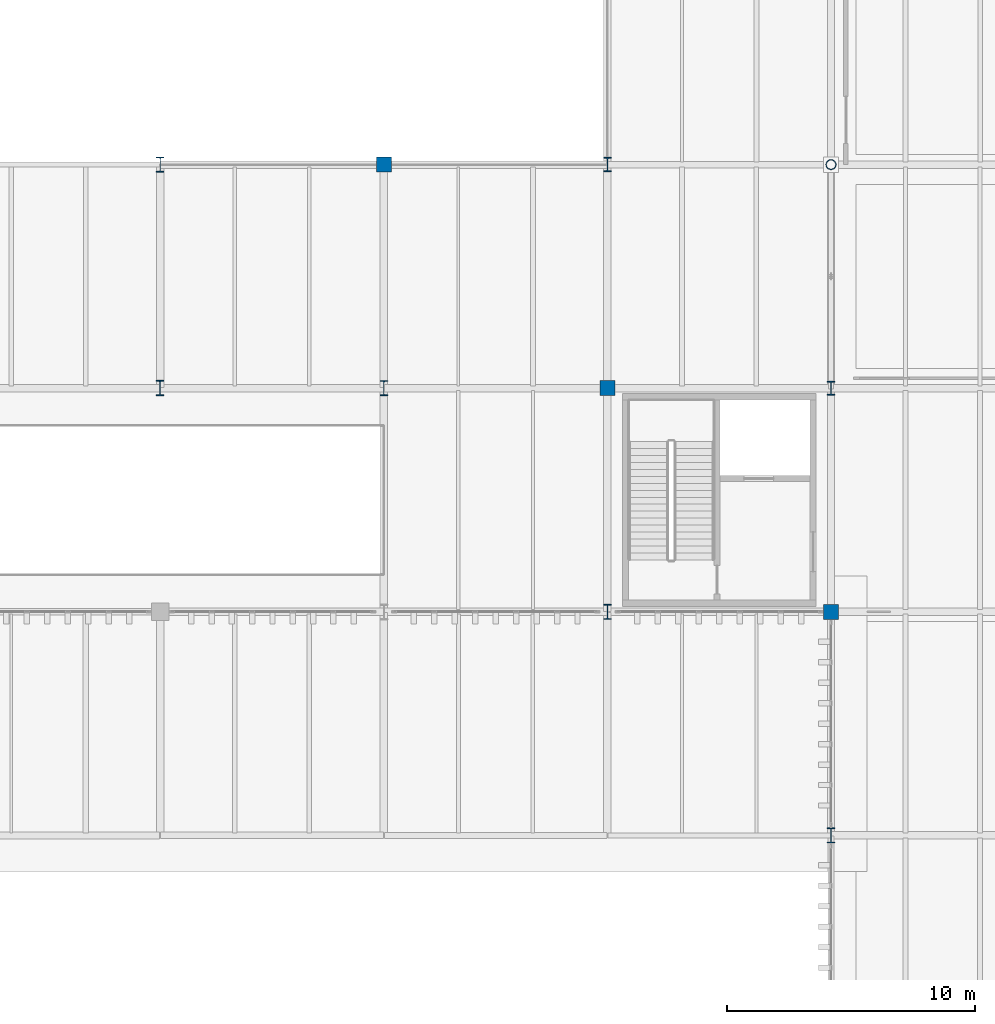
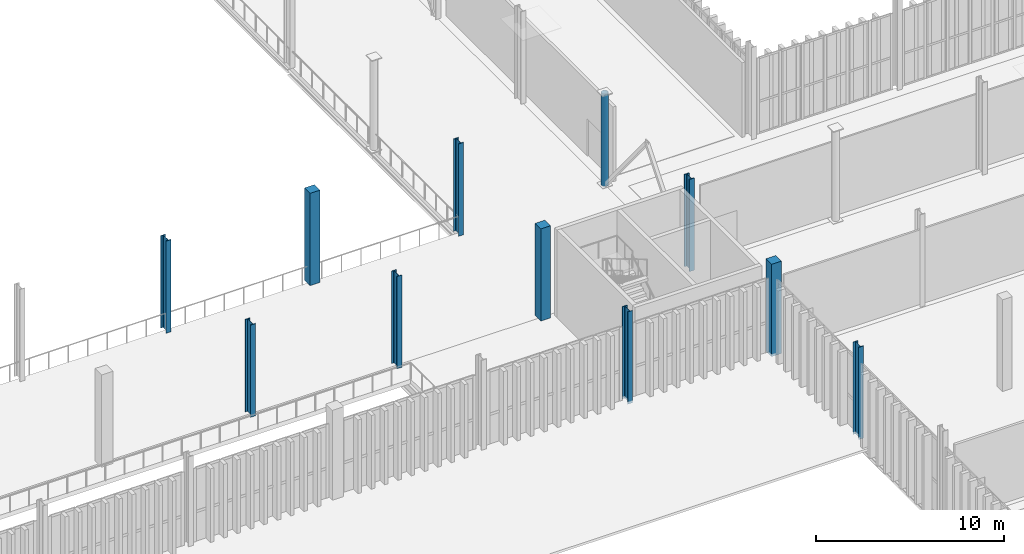
# One storey, part 7 of 211: 11 columns.
"""IFC4 building model written with IfcOpenShell, lengths in metres."""

from ifc_helpers import new_model, si_unit, direction, frame, origin, origin_2d, place, context, subcontext, project, spatial, rectangle, hollow_circle, i_section, extrude, material, material_profile, profile_set, type_object, element, save


model = new_model("IFC4")

# Units and contexts
model_context = context("Model", 3, precision=1e-05, world=origin(), true_north=direction((0.0, 1.0)))
body_context = subcontext(model_context, "Body", "Model", "MODEL_VIEW")
ifc_project = project(units=[si_unit("LENGTHUNIT", "METRE"), si_unit("AREAUNIT", "SQUARE_METRE"), si_unit("VOLUMEUNIT", "CUBIC_METRE"), si_unit("PLANEANGLEUNIT", "RADIAN"), si_unit("MASSUNIT", "GRAM", prefix="KILO")], contexts=[model_context])

# Site, building, storey
site_placement = place(None, origin())
site = spatial("IfcSite", under=ifc_project, at=site_placement, CompositionType="ELEMENT")
building_placement = place(site_placement, origin())
building = spatial("IfcBuilding", under=site, at=building_placement, Name="Barlavento Convention Centre", CompositionType="ELEMENT")
storey_placement = place(building_placement, frame((0.0, 0.0, 6.0)))
storey = spatial("IfcBuildingStorey", under=building, at=storey_placement, Name="L01", CompositionType="ELEMENT", Elevation=6.0)

# Columns
ifc_material_1 = material(Name="Steel S355", Category="steel")
ifc_material_profile_1 = material_profile(ifc_material_1, hollow_circle(Radius=0.203125, WallThickness=0.01611328125, at=origin_2d()), Name="CHS 406.4x16.0")
ifc_profile_set_1 = profile_set([ifc_material_profile_1], Name="Steel S355")
column_type_1 = type_object("IfcColumnType", Name="STR-COL-CHS406", PredefinedType="COLUMN", material=ifc_profile_set_1)
column_1_placement = place(storey_placement, frame((126.0, 63.0, 0.0), z_axis=(0.0, 0.0, 1.0), x_axis=(1.0, 0.0, 0.0)))
element("IfcColumn", 1, at=column_1_placement, inside=storey, type_object=column_type_1, Name="L01 column SC14", PredefinedType="COLUMN", context=body_context, shape_type="SweptSolid", body=[
    extrude(hollow_circle(Radius=0.203125, WallThickness=0.01611328125, at=origin_2d()), origin(), (0.0, 0.0, 1.0), 6.0),
])
ifc_material_profile_2 = material_profile(ifc_material_1, i_section(OverallWidth=0.300048828125, OverallDepth=0.60009765625, WebThickness=0.015380859375, FlangeThickness=0.030029296875, FilletRadius=0.027099609375, at=origin_2d()), Name="HEB 600")
ifc_profile_set_2 = profile_set([ifc_material_profile_2], Name="Steel S355")
column_type_2 = type_object("IfcColumnType", Name="STR-COL-HEB600", PredefinedType="COLUMN", material=ifc_profile_set_2)
for number, where, z_axis, x_axis, name in (
    (2, (99.0, 63.0, 0.0), (0.0, 0.0, 1.0), (1.0, 0.0, 0.0), "L01 column SC08"),
    (3, (108.0, 54.0, 0.0), (0.0, 0.0, 1.0), (1.0, 0.0, 0.0), "L01 column SC08"),
    (4, (117.0, 45.0, 0.0), (0.0, 0.0, 1.0), (1.0, 0.0, 0.0), "L01 column SC08"),
    (5, (126.0, 36.0, 0.0), (0.0, 0.0, 1.0), (1.0, 0.0, 0.0), "L01 column SC08"),
):
    element("IfcColumn", number, at=place(storey_placement, frame(where, z_axis=z_axis, x_axis=x_axis)), inside=storey, type_object=column_type_2, Name=name, PredefinedType="COLUMN", context=body_context, shape_type="SweptSolid", body=[
        extrude(i_section(OverallWidth=0.300048828125, OverallDepth=0.60009765625, WebThickness=0.015380859375, FlangeThickness=0.030029296875, FilletRadius=0.027099609375, at=origin_2d()), origin(), (0.0, 0.0, 1.0), 6.0),
    ])
ifc_material_profile_3 = material_profile(ifc_material_1, i_section(OverallWidth=0.305908203125, OverallDepth=0.572021484375, WebThickness=0.02099609375, FlangeThickness=0.0400390625, FilletRadius=0.027099609375, at=origin_2d()), Name="HEM 550")
ifc_profile_set_3 = profile_set([ifc_material_profile_3], Name="Steel S355")
column_type_3 = type_object("IfcColumnType", Name="STR-COL-HEM550", PredefinedType="COLUMN", material=ifc_profile_set_3)
for number, where, z_axis, x_axis, name in (
    (6, (117.0, 63.0, 0.0), (0.0, 0.0, 1.0), (1.0, 0.0, 0.0), "L01 column SC06"),
    (7, (126.0, 54.0, 0.0), (0.0, 0.0, 1.0), (1.0, 0.0, 0.0), "L01 column SC06"),
):
    element("IfcColumn", number, at=place(storey_placement, frame(where, z_axis=z_axis, x_axis=x_axis)), inside=storey, type_object=column_type_3, Name=name, PredefinedType="COLUMN", context=body_context, shape_type="SweptSolid", body=[
        extrude(i_section(OverallWidth=0.305908203125, OverallDepth=0.572021484375, WebThickness=0.02099609375, FlangeThickness=0.0400390625, FilletRadius=0.027099609375, at=origin_2d()), origin(), (0.0, 0.0, 1.0), 6.0),
    ])
ifc_material_profile_4 = material_profile(ifc_material_1, i_section(OverallWidth=0.304931640625, OverallDepth=0.6201171875, WebThickness=0.02099609375, FlangeThickness=0.0400390625, FilletRadius=0.027099609375, at=origin_2d()), Name="HEM 600")
ifc_profile_set_4 = profile_set([ifc_material_profile_4], Name="Steel S355")
column_type_4 = type_object("IfcColumnType", Name="STR-COL-HEM600", PredefinedType="COLUMN", material=ifc_profile_set_4)
column_2_placement = place(storey_placement, frame((99.0, 54.0, 0.0), z_axis=(0.0, 0.0, 1.0), x_axis=(1.0, 0.0, 0.0)))
element("IfcColumn", 8, at=column_2_placement, inside=storey, type_object=column_type_4, Name="L01 column SC05", PredefinedType="COLUMN", context=body_context, shape_type="SweptSolid", body=[
    extrude(i_section(OverallWidth=0.304931640625, OverallDepth=0.6201171875, WebThickness=0.02099609375, FlangeThickness=0.0400390625, FilletRadius=0.027099609375, at=origin_2d()), origin(), (0.0, 0.0, 1.0), 6.0),
])
ifc_material_2 = material(Name="Concrete C40/50", Category="concrete")
ifc_material_profile_5 = material_profile(ifc_material_2, rectangle(XDim=0.60009765625, YDim=0.60009765625, at=origin_2d()), Name="RC 600x600")
ifc_profile_set_5 = profile_set([ifc_material_profile_5], Name="Concrete C40/50")
column_type_5 = type_object("IfcColumnType", Name="STR-COL-RC600", PredefinedType="COLUMN", material=ifc_profile_set_5)
for number, where, z_axis, x_axis, name in (
    (9, (108.0, 63.0, 0.0), (0.0, 0.0, 1.0), (1.0, 0.0, 0.0), "L01 column CC07"),
    (10, (117.0, 54.0, 0.0), (0.0, 0.0, 1.0), (1.0, 0.0, 0.0), "L01 column CC07"),
    (11, (126.0, 45.0, 0.0), (0.0, 0.0, 1.0), (1.0, 0.0, 0.0), "L01 column CC07"),
):
    element("IfcColumn", number, at=place(storey_placement, frame(where, z_axis=z_axis, x_axis=x_axis)), inside=storey, type_object=column_type_5, Name=name, PredefinedType="COLUMN", context=body_context, shape_type="SweptSolid", body=[
        extrude(rectangle(XDim=0.60009765625, YDim=0.60009765625, at=origin_2d()), origin(), (0.0, 0.0, 1.0), 6.0),
    ])

save(model, "model.ifc")
